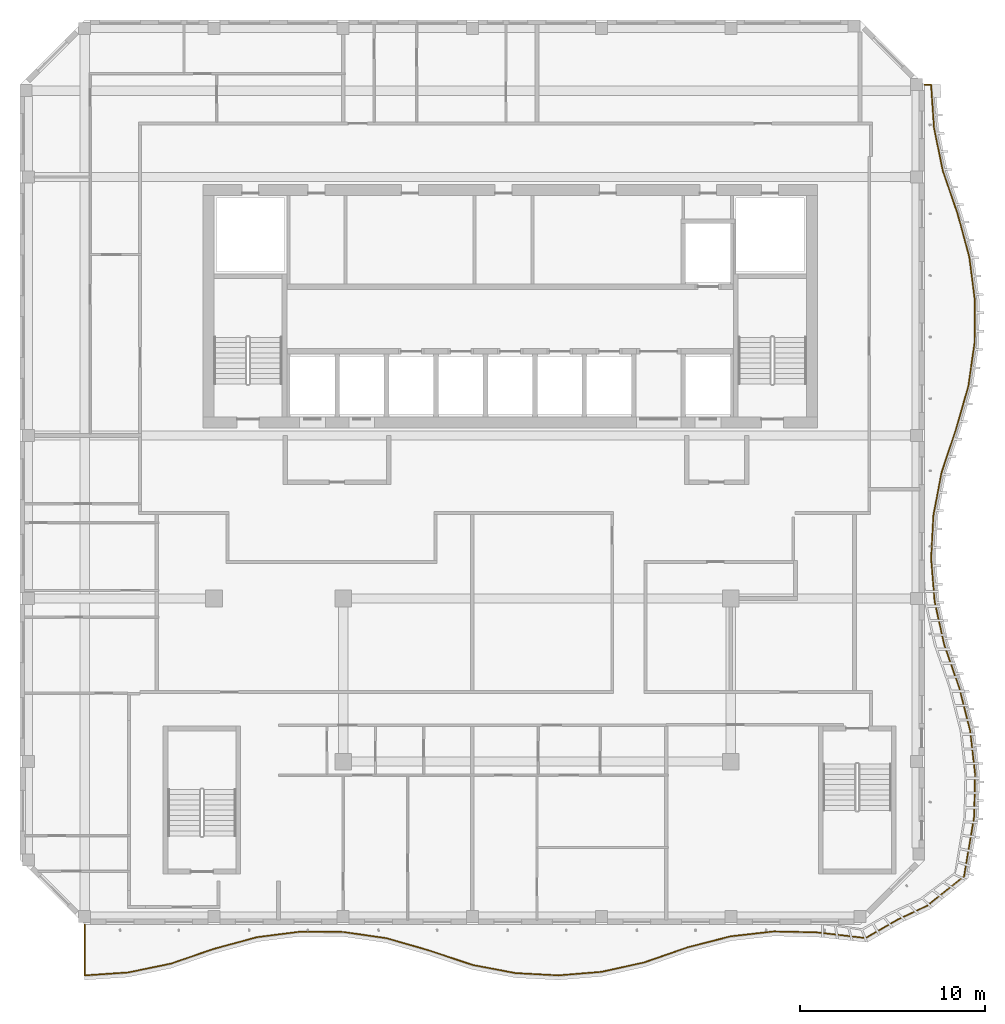
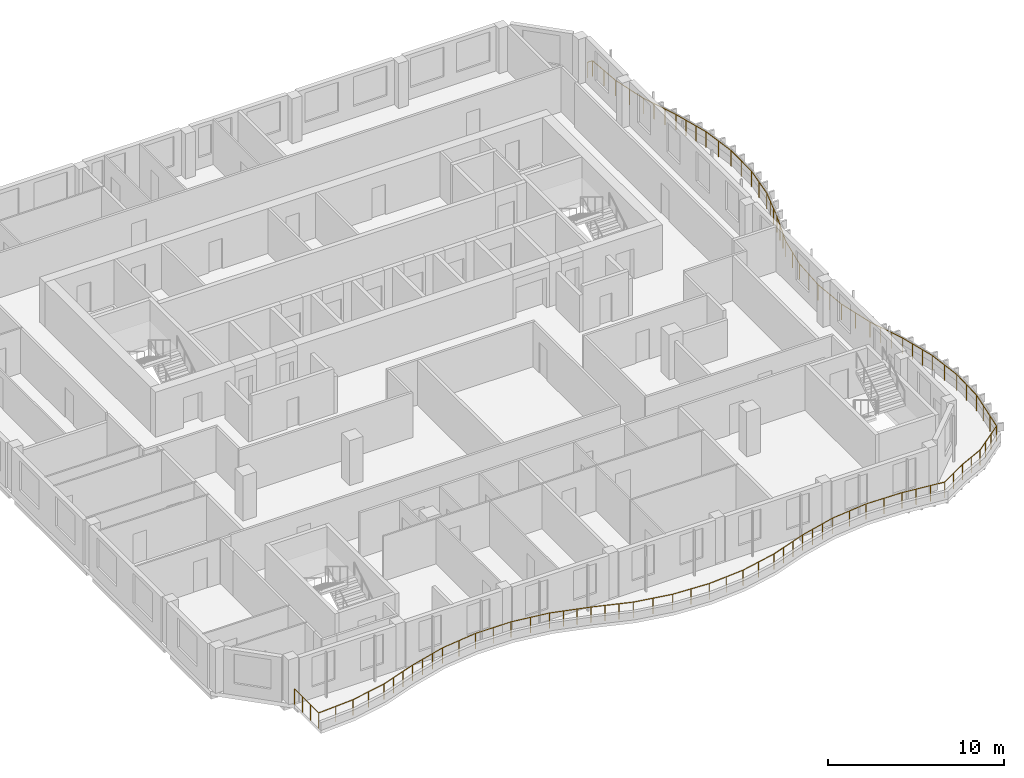
# One storey, part 14 of 18: 1 railing.
"""IFC4 building model written with IfcOpenShell, lengths in metres."""

from ifc_helpers import new_model, si_unit, direction, frame, origin, origin_2d, place, context, subcontext, project, spatial, circle, extrude, material, type_object, element, save


model = new_model("IFC4")

# Units and contexts
model_context = context("Model", 3, precision=1e-05, world=origin(), true_north=direction((0.0, 1.0)))
body_context = subcontext(model_context, "Body", "Model", "MODEL_VIEW")
ifc_project = project(units=[si_unit("LENGTHUNIT", "METRE"), si_unit("AREAUNIT", "SQUARE_METRE"), si_unit("VOLUMEUNIT", "CUBIC_METRE"), si_unit("PLANEANGLEUNIT", "RADIAN"), si_unit("MASSUNIT", "GRAM", prefix="KILO")], contexts=[model_context])

# Site, building, storey
site_placement = place(None, origin())
site = spatial("IfcSite", under=ifc_project, at=site_placement, CompositionType="ELEMENT")
building_placement = place(site_placement, origin())
building = spatial("IfcBuilding", under=site, at=building_placement, Name="Kilnfold Tower and Market Hall", CompositionType="ELEMENT")
storey_placement = place(building_placement, frame((0.0, 0.0, 277.199951171875)))
storey = spatial("IfcBuildingStorey", under=building, at=storey_placement, Name="L68", CompositionType="ELEMENT", Elevation=277.199951171875)

# Railing
ifc_material = material(Name="Stainless steel and laminated glass", Category="steel")
railing_type = type_object("IfcRailingType", Name="GUARD 1100", PredefinedType="GUARDRAIL", material=ifc_material)
railing_placement = place(storey_placement, frame((-22.0, -18.5, 0.0)))
element("IfcRailing", 1, at=railing_placement, inside=storey, type_object=railing_type, Name="Guard balcony L68", PredefinedType="GUARDRAIL", context=body_context, shape_type="SweptSolid", body=[
    extrude(circle(Radius=0.02490234375, at=origin_2d()), frame((0.0, 0.0, 1.0751953125), z_axis=(0.0, -1.0, 0.0), x_axis=(1.0, 0.0, 0.0)), (0.0, 0.0, 1.0), 2.75),
    extrude(circle(Radius=0.02490234375, at=origin_2d()), frame((0.0, -2.75, 1.0751953125), z_axis=(0.997744320473, 0.067128764054, 0.0), x_axis=(-0.067128764054, 0.997744320473, 0.0)), (0.0, 0.0, 1.0), 2.338623046875),
    extrude(circle(Radius=0.02490234375, at=origin_2d()), frame((2.333251953125, -2.593017578125, 1.0751953125), z_axis=(0.979514155194, 0.201375320669, 0.0), x_axis=(-0.201375320669, 0.979514155194, 0.0)), (0.0, 0.0, 1.0), 2.38232421875),
    extrude(circle(Radius=0.02490234375, at=origin_2d()), frame((4.666748046875, -2.11328125, 1.0751953125), z_axis=(0.945693253584, 0.325060409964, 0.0), x_axis=(-0.325060409964, 0.945693253584, 0.0)), (0.0, 0.0, 1.0), 2.46728515625),
    extrude(circle(Radius=0.02490234375, at=origin_2d()), frame((7.0, -1.311279296875, 1.0751953125), z_axis=(0.965260874363, 0.261288048758, 0.0), x_axis=(-0.261288048758, 0.965260874363, 0.0)), (0.0, 0.0, 1.0), 2.417236328125),
    extrude(circle(Radius=0.02490234375, at=origin_2d()), frame((9.333251953125, -0.6796875, 1.0751953125), z_axis=(0.991912848842, 0.126920842659, 0.0), x_axis=(-0.126920842659, 0.991912848842, 0.0)), (0.0, 0.0, 1.0), 2.3525390625),
    extrude(circle(Radius=0.02490234375, at=origin_2d()), frame((11.666748046875, -0.381103515625, 1.0751953125), z_axis=(0.999973937982, -0.007219650698, 0.0), x_axis=(0.007219650698, 0.999973937982, 0.0)), (0.0, 0.0, 1.0), 2.333251953125),
    extrude(circle(Radius=0.02490234375, at=origin_2d()), frame((14.0, -0.39794921875, 1.0751953125), z_axis=(0.989924618901, -0.141595370308, 0.0), x_axis=(0.141595370308, 0.989924618901, 0.0)), (0.0, 0.0, 1.0), 2.35693359375),
    extrude(circle(Radius=0.02490234375, at=origin_2d()), frame((16.333251953125, -0.731689453125, 1.0751953125), z_axis=(0.961227378487, -0.275757006886, 0.0), x_axis=(0.275757006886, 0.961227378487, 0.0)), (0.0, 0.0, 1.0), 2.427734375),
    extrude(circle(Radius=0.02490234375, at=origin_2d()), frame((18.666748046875, -1.401123046875, 1.0751953125), z_axis=(0.948375225103, -0.317150488587, 0.0), x_axis=(0.317150488587, 0.948375225103, 0.0)), (0.0, 0.0, 1.0), 2.460205078125),
    extrude(circle(Radius=0.02490234375, at=origin_2d()), frame((21.0, -2.181396484375, 1.0751953125), z_axis=(0.982383523607, -0.186875928212, 0.0), x_axis=(0.186875928212, 0.982383523607, 0.0)), (0.0, 0.0, 1.0), 2.375),
    extrude(circle(Radius=0.02490234375, at=origin_2d()), frame((23.333251953125, -2.625244140625, 1.0751953125), z_axis=(0.998612629354, -0.052657539778, 0.0), x_axis=(0.052657539778, 0.998612629354, 0.0)), (0.0, 0.0, 1.0), 2.336669921875),
    extrude(circle(Radius=0.02490234375, at=origin_2d()), frame((25.666748046875, -2.748291015625, 1.0751953125), z_axis=(0.996652090419, 0.081759468336, 0.0), x_axis=(-0.081759468336, 0.996652090419, 0.0)), (0.0, 0.0, 1.0), 2.341064453125),
    extrude(circle(Radius=0.02490234375, at=origin_2d()), frame((28.0, -2.556884765625, 1.0751953125), z_axis=(0.976419679672, 0.215881006921, 0.0), x_axis=(-0.215881006921, 0.976419679672, 0.0)), (0.0, 0.0, 1.0), 2.3896484375),
    extrude(circle(Radius=0.02490234375, at=origin_2d()), frame((30.333251953125, -2.041015625, 1.0751953125), z_axis=(0.944082964378, 0.329707986513, 0.0), x_axis=(-0.329707986513, 0.944082964378, 0.0)), (0.0, 0.0, 1.0), 2.4716796875),
    extrude(circle(Radius=0.02490234375, at=origin_2d()), frame((32.666748046875, -1.22607421875, 1.0751953125), z_axis=(0.969065433621, 0.246803941136, 0.0), x_axis=(-0.246803941136, 0.969065433621, 0.0)), (0.0, 0.0, 1.0), 2.40771484375),
    extrude(circle(Radius=0.02490234375, at=origin_2d()), frame((35.0, -0.6318359375, 1.0751953125), z_axis=(0.9936637082, 0.112394105741, 0.0), x_axis=(-0.112394105741, 0.9936637082, 0.0)), (0.0, 0.0, 1.0), 2.34814453125),
    extrude(circle(Radius=0.02490234375, at=origin_2d()), frame((37.333251953125, -0.367919921875, 1.0751953125), z_axis=(0.999763294472, -0.021756723713, 0.0), x_axis=(0.021756723713, 0.999763294472, 0.0)), (0.0, 0.0, 1.0), 2.333984375),
    extrude(circle(Radius=0.02490234375, at=origin_2d()), frame((39.666748046875, -0.418701171875, 1.0751953125), z_axis=(0.993209534194, -0.116339250414, 0.0), x_axis=(0.116339250414, 0.993209534194, 0.0)), (0.0, 0.0, 1.0), 2.652587890625),
    extrude(circle(Radius=0.02490234375, at=origin_2d()), frame((42.30126953125, -0.727294921875, 1.0751953125), z_axis=(0.866123210065, 0.499830556276, 0.0), x_axis=(-0.499830556276, 0.866123210065, 0.0)), (0.0, 0.0, 1.0), 2.020263671875),
    extrude(circle(Radius=0.02490234375, at=origin_2d()), frame((44.051025390625, 0.282470703125, 1.0751953125), z_axis=(0.905937791397, 0.423410814834, 0.0), x_axis=(-0.423410814834, 0.905937791397, 0.0)), (0.0, 0.0, 1.0), 1.755126953125),
    extrude(circle(Radius=0.02490234375, at=origin_2d()), frame((45.64111328125, 1.025634765625, 1.0751953125), z_axis=(0.782230054052, 0.622989680924, 0.0), x_axis=(-0.622989680924, 0.782230054052, 0.0)), (0.0, 0.0, 1.0), 2.55126953125),
    extrude(circle(Radius=0.02490234375, at=origin_2d()), frame((47.63671875, 2.614990234375, 1.0751953125), z_axis=(0.166872846644, 0.985978424233, 0.0), x_axis=(-0.985978424233, 0.166872846644, 0.0)), (0.0, 0.0, 1.0), 3.263916015625),
    extrude(circle(Radius=0.02490234375, at=origin_2d()), frame((48.181396484375, 5.833251953125, 1.0751953125), z_axis=(0.021756723713, 0.999763294472, 0.0), x_axis=(-0.999763294472, 0.021756723713, 0.0)), (0.0, 0.0, 1.0), 2.333984375),
    extrude(circle(Radius=0.02490234375, at=origin_2d()), frame((48.232177734375, 8.166748046875, 1.0751953125), z_axis=(-0.112496762863, 0.9936520912, 0.0), x_axis=(-0.9936520912, -0.112496762863, 0.0)), (0.0, 0.0, 1.0), 2.34814453125),
    extrude(circle(Radius=0.02490234375, at=origin_2d()), frame((47.968017578125, 10.5, 1.0751953125), z_axis=(-0.246708715469, 0.969089680944, 0.0), x_axis=(-0.969089680944, -0.246708715469, 0.0)), (0.0, 0.0, 1.0), 2.40771484375),
    extrude(circle(Radius=0.02490234375, at=origin_2d()), frame((47.3740234375, 12.833251953125, 1.0751953125), z_axis=(-0.329707986513, 0.944082964378, 0.0), x_axis=(-0.944082964378, -0.329707986513, 0.0)), (0.0, 0.0, 1.0), 2.4716796875),
    extrude(circle(Radius=0.02490234375, at=origin_2d()), frame((46.55908203125, 15.166748046875, 1.0751953125), z_axis=(-0.215978410209, 0.976398139246, 0.0), x_axis=(-0.976398139246, -0.215978410209, 0.0)), (0.0, 0.0, 1.0), 2.3896484375),
    extrude(circle(Radius=0.02490234375, at=origin_2d()), frame((46.04296875, 17.5, 1.0751953125), z_axis=(-0.081655879081, 0.996660582852, 0.0), x_axis=(-0.996660582852, -0.081655879081, 0.0)), (0.0, 0.0, 1.0), 2.341064453125),
    extrude(circle(Radius=0.02490234375, at=origin_2d()), frame((45.851806640625, 19.833251953125, 1.0751953125), z_axis=(0.052553349375, 0.998618117936, 0.0), x_axis=(-0.998618117936, 0.052553349375, 0.0)), (0.0, 0.0, 1.0), 2.336669921875),
    extrude(circle(Radius=0.02490234375, at=origin_2d()), frame((45.974609375, 22.166748046875, 1.0751953125), z_axis=(0.186975127626, 0.982364648005, 0.0), x_axis=(-0.982364648005, 0.186975127626, 0.0)), (0.0, 0.0, 1.0), 2.375244140625),
    extrude(circle(Radius=0.02490234375, at=origin_2d()), frame((46.418701171875, 24.5, 1.0751953125), z_axis=(0.317150488587, 0.948375225103, 0.0), x_axis=(-0.948375225103, 0.317150488587, 0.0)), (0.0, 0.0, 1.0), 2.460205078125),
    extrude(circle(Radius=0.02490234375, at=origin_2d()), frame((47.198974609375, 26.833251953125, 1.0751953125), z_axis=(0.275757006886, 0.961227378487, 0.0), x_axis=(-0.961227378487, 0.275757006886, 0.0)), (0.0, 0.0, 1.0), 2.427734375),
    extrude(circle(Radius=0.02490234375, at=origin_2d()), frame((47.868408203125, 29.166748046875, 1.0751953125), z_axis=(0.141493863694, 0.989939132743, 0.0), x_axis=(-0.989939132743, 0.141493863694, 0.0)), (0.0, 0.0, 1.0), 2.35693359375),
    extrude(circle(Radius=0.02490234375, at=origin_2d()), frame((48.201904296875, 31.5, 1.0751953125), z_axis=(0.007324277744, 0.999973177118, 0.0), x_axis=(-0.999973177118, 0.007324277744, 0.0)), (0.0, 0.0, 1.0), 2.333251953125),
    extrude(circle(Radius=0.02490234375, at=origin_2d()), frame((48.218994140625, 33.833251953125, 1.0751953125), z_axis=(-0.127022947172, 0.991899778653, 0.0), x_axis=(-0.991899778653, -0.127022947172, 0.0)), (0.0, 0.0, 1.0), 2.3525390625),
    extrude(circle(Radius=0.02490234375, at=origin_2d()), frame((47.920166015625, 36.166748046875, 1.0751953125), z_axis=(-0.261288048758, 0.965260874363, 0.0), x_axis=(-0.965260874363, -0.261288048758, 0.0)), (0.0, 0.0, 1.0), 2.417236328125),
    extrude(circle(Radius=0.02490234375, at=origin_2d()), frame((47.28857421875, 38.5, 1.0751953125), z_axis=(-0.324971908544, 0.945723669291, 0.0), x_axis=(-0.945723669291, -0.324971908544, 0.0)), (0.0, 0.0, 1.0), 2.467041015625),
    extrude(circle(Radius=0.02490234375, at=origin_2d()), frame((46.48681640625, 40.833251953125, 1.0751953125), z_axis=(-0.201375320669, 0.979514155194, 0.0), x_axis=(-0.979514155194, -0.201375320669, 0.0)), (0.0, 0.0, 1.0), 2.38232421875),
    extrude(circle(Radius=0.02490234375, at=origin_2d()), frame((46.007080078125, 43.166748046875, 1.0751953125), z_axis=(-0.067128764054, 0.997744320473, 0.0), x_axis=(-0.997744320473, -0.067128764054, 0.0)), (0.0, 0.0, 1.0), 2.338623046875),
    extrude(circle(Radius=0.02490234375, at=origin_2d()), frame((45.85009765625, 45.5, 1.0751953125), z_axis=(-1.0, 0.0, 0.0), x_axis=(0.0, -1.0, 0.0)), (0.0, 0.0, 1.0), 0.35009765625),
    extrude(circle(Radius=0.02490234375, at=origin_2d()), origin(), (0.0, 0.0, 1.0), 1.050048828125),
    extrude(circle(Radius=0.02490234375, at=origin_2d()), frame((0.0, -0.916748046875, 0.0)), (0.0, 0.0, 1.0), 1.050048828125),
    extrude(circle(Radius=0.02490234375, at=origin_2d()), frame((0.0, -1.833251953125, 0.0)), (0.0, 0.0, 1.0), 1.050048828125),
    extrude(circle(Radius=0.02490234375, at=origin_2d()), frame((0.0, -2.75, 0.0)), (0.0, 0.0, 1.0), 1.050048828125),
    extrude(circle(Radius=0.02490234375, at=origin_2d()), frame((1.16650390625, -2.67138671875, 0.0)), (0.0, 0.0, 1.0), 1.050048828125),
    extrude(circle(Radius=0.02490234375, at=origin_2d()), frame((2.333251953125, -2.593017578125, 0.0)), (0.0, 0.0, 1.0), 1.050048828125),
    extrude(circle(Radius=0.02490234375, at=origin_2d()), frame((3.5, -2.35302734375, 0.0)), (0.0, 0.0, 1.0), 1.050048828125),
    extrude(circle(Radius=0.02490234375, at=origin_2d()), frame((4.666748046875, -2.11328125, 0.0)), (0.0, 0.0, 1.0), 1.050048828125),
    extrude(circle(Radius=0.02490234375, at=origin_2d()), frame((5.444580078125, -1.845947265625, 0.0)), (0.0, 0.0, 1.0), 1.050048828125),
    extrude(circle(Radius=0.02490234375, at=origin_2d()), frame((6.22216796875, -1.57861328125, 0.0)), (0.0, 0.0, 1.0), 1.050048828125),
    extrude(circle(Radius=0.02490234375, at=origin_2d()), frame((7.0, -1.311279296875, 0.0)), (0.0, 0.0, 1.0), 1.050048828125),
    extrude(circle(Radius=0.02490234375, at=origin_2d()), frame((7.77783203125, -1.100830078125, 0.0)), (0.0, 0.0, 1.0), 1.050048828125),
    extrude(circle(Radius=0.02490234375, at=origin_2d()), frame((8.555419921875, -0.89013671875, 0.0)), (0.0, 0.0, 1.0), 1.050048828125),
    extrude(circle(Radius=0.02490234375, at=origin_2d()), frame((9.333251953125, -0.6796875, 0.0)), (0.0, 0.0, 1.0), 1.050048828125),
    extrude(circle(Radius=0.02490234375, at=origin_2d()), frame((10.5, -0.5302734375, 0.0)), (0.0, 0.0, 1.0), 1.050048828125),
    extrude(circle(Radius=0.02490234375, at=origin_2d()), frame((11.666748046875, -0.381103515625, 0.0)), (0.0, 0.0, 1.0), 1.050048828125),
    extrude(circle(Radius=0.02490234375, at=origin_2d()), frame((12.83349609375, -0.3896484375, 0.0)), (0.0, 0.0, 1.0), 1.050048828125),
    extrude(circle(Radius=0.02490234375, at=origin_2d()), frame((14.0, -0.39794921875, 0.0)), (0.0, 0.0, 1.0), 1.050048828125),
    extrude(circle(Radius=0.02490234375, at=origin_2d()), frame((15.16650390625, -0.56494140625, 0.0)), (0.0, 0.0, 1.0), 1.050048828125),
    extrude(circle(Radius=0.02490234375, at=origin_2d()), frame((16.333251953125, -0.731689453125, 0.0)), (0.0, 0.0, 1.0), 1.050048828125),
    extrude(circle(Radius=0.02490234375, at=origin_2d()), frame((17.111083984375, -0.954833984375, 0.0)), (0.0, 0.0, 1.0), 1.050048828125),
    extrude(circle(Radius=0.02490234375, at=origin_2d()), frame((17.888916015625, -1.177978515625, 0.0)), (0.0, 0.0, 1.0), 1.050048828125),
    extrude(circle(Radius=0.02490234375, at=origin_2d()), frame((18.666748046875, -1.401123046875, 0.0)), (0.0, 0.0, 1.0), 1.050048828125),
    extrude(circle(Radius=0.02490234375, at=origin_2d()), frame((19.444580078125, -1.6611328125, 0.0)), (0.0, 0.0, 1.0), 1.050048828125),
    extrude(circle(Radius=0.02490234375, at=origin_2d()), frame((20.22216796875, -1.92138671875, 0.0)), (0.0, 0.0, 1.0), 1.050048828125),
    extrude(circle(Radius=0.02490234375, at=origin_2d()), frame((21.0, -2.181396484375, 0.0)), (0.0, 0.0, 1.0), 1.050048828125),
    extrude(circle(Radius=0.02490234375, at=origin_2d()), frame((22.16650390625, -2.4033203125, 0.0)), (0.0, 0.0, 1.0), 1.050048828125),
    extrude(circle(Radius=0.02490234375, at=origin_2d()), frame((23.333251953125, -2.625244140625, 0.0)), (0.0, 0.0, 1.0), 1.050048828125),
    extrude(circle(Radius=0.02490234375, at=origin_2d()), frame((24.5, -2.686767578125, 0.0)), (0.0, 0.0, 1.0), 1.050048828125),
    extrude(circle(Radius=0.02490234375, at=origin_2d()), frame((25.666748046875, -2.748291015625, 0.0)), (0.0, 0.0, 1.0), 1.050048828125),
    extrude(circle(Radius=0.02490234375, at=origin_2d()), frame((26.83349609375, -2.652587890625, 0.0)), (0.0, 0.0, 1.0), 1.050048828125),
    extrude(circle(Radius=0.02490234375, at=origin_2d()), frame((28.0, -2.556884765625, 0.0)), (0.0, 0.0, 1.0), 1.050048828125),
    extrude(circle(Radius=0.02490234375, at=origin_2d()), frame((29.16650390625, -2.298828125, 0.0)), (0.0, 0.0, 1.0), 1.050048828125),
    extrude(circle(Radius=0.02490234375, at=origin_2d()), frame((30.333251953125, -2.041015625, 0.0)), (0.0, 0.0, 1.0), 1.050048828125),
    extrude(circle(Radius=0.02490234375, at=origin_2d()), frame((31.111083984375, -1.769287109375, 0.0)), (0.0, 0.0, 1.0), 1.050048828125),
    extrude(circle(Radius=0.02490234375, at=origin_2d()), frame((31.888916015625, -1.497802734375, 0.0)), (0.0, 0.0, 1.0), 1.050048828125),
    extrude(circle(Radius=0.02490234375, at=origin_2d()), frame((32.666748046875, -1.22607421875, 0.0)), (0.0, 0.0, 1.0), 1.050048828125),
    extrude(circle(Radius=0.02490234375, at=origin_2d()), frame((33.444580078125, -1.028076171875, 0.0)), (0.0, 0.0, 1.0), 1.050048828125),
    extrude(circle(Radius=0.02490234375, at=origin_2d()), frame((34.22216796875, -0.829833984375, 0.0)), (0.0, 0.0, 1.0), 1.050048828125),
    extrude(circle(Radius=0.02490234375, at=origin_2d()), frame((35.0, -0.6318359375, 0.0)), (0.0, 0.0, 1.0), 1.050048828125),
    extrude(circle(Radius=0.02490234375, at=origin_2d()), frame((36.16650390625, -0.5, 0.0)), (0.0, 0.0, 1.0), 1.050048828125),
    extrude(circle(Radius=0.02490234375, at=origin_2d()), frame((37.333251953125, -0.367919921875, 0.0)), (0.0, 0.0, 1.0), 1.050048828125),
    extrude(circle(Radius=0.02490234375, at=origin_2d()), frame((38.5, -0.393310546875, 0.0)), (0.0, 0.0, 1.0), 1.050048828125),
    extrude(circle(Radius=0.02490234375, at=origin_2d()), frame((39.666748046875, -0.418701171875, 0.0)), (0.0, 0.0, 1.0), 1.050048828125),
    extrude(circle(Radius=0.02490234375, at=origin_2d()), frame((40.544921875, -0.521484375, 0.0)), (0.0, 0.0, 1.0), 1.050048828125),
    extrude(circle(Radius=0.02490234375, at=origin_2d()), frame((41.423095703125, -0.62451171875, 0.0)), (0.0, 0.0, 1.0), 1.050048828125),
    extrude(circle(Radius=0.02490234375, at=origin_2d()), frame((42.30126953125, -0.727294921875, 0.0)), (0.0, 0.0, 1.0), 1.050048828125),
    extrude(circle(Radius=0.02490234375, at=origin_2d()), frame((43.17626953125, -0.222412109375, 0.0)), (0.0, 0.0, 1.0), 1.050048828125),
    extrude(circle(Radius=0.02490234375, at=origin_2d()), frame((44.051025390625, 0.282470703125, 0.0)), (0.0, 0.0, 1.0), 1.050048828125),
    extrude(circle(Radius=0.02490234375, at=origin_2d()), frame((44.84619140625, 0.654052734375, 0.0)), (0.0, 0.0, 1.0), 1.050048828125),
    extrude(circle(Radius=0.02490234375, at=origin_2d()), frame((45.64111328125, 1.025634765625, 0.0)), (0.0, 0.0, 1.0), 1.050048828125),
    extrude(circle(Radius=0.02490234375, at=origin_2d()), frame((46.306396484375, 1.555419921875, 0.0)), (0.0, 0.0, 1.0), 1.050048828125),
    extrude(circle(Radius=0.02490234375, at=origin_2d()), frame((46.971435546875, 2.085205078125, 0.0)), (0.0, 0.0, 1.0), 1.050048828125),
    extrude(circle(Radius=0.02490234375, at=origin_2d()), frame((47.63671875, 2.614990234375, 0.0)), (0.0, 0.0, 1.0), 1.050048828125),
    extrude(circle(Radius=0.02490234375, at=origin_2d()), frame((47.818359375, 3.687744140625, 0.0)), (0.0, 0.0, 1.0), 1.050048828125),
    extrude(circle(Radius=0.02490234375, at=origin_2d()), frame((47.999755859375, 4.760498046875, 0.0)), (0.0, 0.0, 1.0), 1.050048828125),
    extrude(circle(Radius=0.02490234375, at=origin_2d()), frame((48.181396484375, 5.833251953125, 0.0)), (0.0, 0.0, 1.0), 1.050048828125),
    extrude(circle(Radius=0.02490234375, at=origin_2d()), frame((48.206787109375, 7.0, 0.0)), (0.0, 0.0, 1.0), 1.050048828125),
    extrude(circle(Radius=0.02490234375, at=origin_2d()), frame((48.232177734375, 8.166748046875, 0.0)), (0.0, 0.0, 1.0), 1.050048828125),
    extrude(circle(Radius=0.02490234375, at=origin_2d()), frame((48.10009765625, 9.33349609375, 0.0)), (0.0, 0.0, 1.0), 1.050048828125),
    extrude(circle(Radius=0.02490234375, at=origin_2d()), frame((47.968017578125, 10.5, 0.0)), (0.0, 0.0, 1.0), 1.050048828125),
    extrude(circle(Radius=0.02490234375, at=origin_2d()), frame((47.77001953125, 11.27783203125, 0.0)), (0.0, 0.0, 1.0), 1.050048828125),
    extrude(circle(Radius=0.02490234375, at=origin_2d()), frame((47.572021484375, 12.055419921875, 0.0)), (0.0, 0.0, 1.0), 1.050048828125),
    extrude(circle(Radius=0.02490234375, at=origin_2d()), frame((47.3740234375, 12.833251953125, 0.0)), (0.0, 0.0, 1.0), 1.050048828125),
    extrude(circle(Radius=0.02490234375, at=origin_2d()), frame((47.102294921875, 13.611083984375, 0.0)), (0.0, 0.0, 1.0), 1.050048828125),
    extrude(circle(Radius=0.02490234375, at=origin_2d()), frame((46.830810546875, 14.388916015625, 0.0)), (0.0, 0.0, 1.0), 1.050048828125),
    extrude(circle(Radius=0.02490234375, at=origin_2d()), frame((46.55908203125, 15.166748046875, 0.0)), (0.0, 0.0, 1.0), 1.050048828125),
    extrude(circle(Radius=0.02490234375, at=origin_2d()), frame((46.301025390625, 16.33349609375, 0.0)), (0.0, 0.0, 1.0), 1.050048828125),
    extrude(circle(Radius=0.02490234375, at=origin_2d()), frame((46.04296875, 17.5, 0.0)), (0.0, 0.0, 1.0), 1.050048828125),
    extrude(circle(Radius=0.02490234375, at=origin_2d()), frame((45.947265625, 18.66650390625, 0.0)), (0.0, 0.0, 1.0), 1.050048828125),
    extrude(circle(Radius=0.02490234375, at=origin_2d()), frame((45.851806640625, 19.833251953125, 0.0)), (0.0, 0.0, 1.0), 1.050048828125),
    extrude(circle(Radius=0.02490234375, at=origin_2d()), frame((45.9130859375, 21.0, 0.0)), (0.0, 0.0, 1.0), 1.050048828125),
    extrude(circle(Radius=0.02490234375, at=origin_2d()), frame((45.974609375, 22.166748046875, 0.0)), (0.0, 0.0, 1.0), 1.050048828125),
    extrude(circle(Radius=0.02490234375, at=origin_2d()), frame((46.19677734375, 23.33349609375, 0.0)), (0.0, 0.0, 1.0), 1.050048828125),
    extrude(circle(Radius=0.02490234375, at=origin_2d()), frame((46.418701171875, 24.5, 0.0)), (0.0, 0.0, 1.0), 1.050048828125),
    extrude(circle(Radius=0.02490234375, at=origin_2d()), frame((46.6787109375, 25.27783203125, 0.0)), (0.0, 0.0, 1.0), 1.050048828125),
    extrude(circle(Radius=0.02490234375, at=origin_2d()), frame((46.93896484375, 26.055419921875, 0.0)), (0.0, 0.0, 1.0), 1.050048828125),
    extrude(circle(Radius=0.02490234375, at=origin_2d()), frame((47.198974609375, 26.833251953125, 0.0)), (0.0, 0.0, 1.0), 1.050048828125),
    extrude(circle(Radius=0.02490234375, at=origin_2d()), frame((47.422119140625, 27.611083984375, 0.0)), (0.0, 0.0, 1.0), 1.050048828125),
    extrude(circle(Radius=0.02490234375, at=origin_2d()), frame((47.645263671875, 28.388916015625, 0.0)), (0.0, 0.0, 1.0), 1.050048828125),
    extrude(circle(Radius=0.02490234375, at=origin_2d()), frame((47.868408203125, 29.166748046875, 0.0)), (0.0, 0.0, 1.0), 1.050048828125),
    extrude(circle(Radius=0.02490234375, at=origin_2d()), frame((48.03515625, 30.33349609375, 0.0)), (0.0, 0.0, 1.0), 1.050048828125),
    extrude(circle(Radius=0.02490234375, at=origin_2d()), frame((48.201904296875, 31.5, 0.0)), (0.0, 0.0, 1.0), 1.050048828125),
    extrude(circle(Radius=0.02490234375, at=origin_2d()), frame((48.21044921875, 32.66650390625, 0.0)), (0.0, 0.0, 1.0), 1.050048828125),
    extrude(circle(Radius=0.02490234375, at=origin_2d()), frame((48.218994140625, 33.833251953125, 0.0)), (0.0, 0.0, 1.0), 1.050048828125),
    extrude(circle(Radius=0.02490234375, at=origin_2d()), frame((48.069580078125, 35.0, 0.0)), (0.0, 0.0, 1.0), 1.050048828125),
    extrude(circle(Radius=0.02490234375, at=origin_2d()), frame((47.920166015625, 36.166748046875, 0.0)), (0.0, 0.0, 1.0), 1.050048828125),
    extrude(circle(Radius=0.02490234375, at=origin_2d()), frame((47.709716796875, 36.944580078125, 0.0)), (0.0, 0.0, 1.0), 1.050048828125),
    extrude(circle(Radius=0.02490234375, at=origin_2d()), frame((47.4990234375, 37.72216796875, 0.0)), (0.0, 0.0, 1.0), 1.050048828125),
    extrude(circle(Radius=0.02490234375, at=origin_2d()), frame((47.28857421875, 38.5, 0.0)), (0.0, 0.0, 1.0), 1.050048828125),
    extrude(circle(Radius=0.02490234375, at=origin_2d()), frame((47.021240234375, 39.27783203125, 0.0)), (0.0, 0.0, 1.0), 1.050048828125),
    extrude(circle(Radius=0.02490234375, at=origin_2d()), frame((46.754150390625, 40.055419921875, 0.0)), (0.0, 0.0, 1.0), 1.050048828125),
    extrude(circle(Radius=0.02490234375, at=origin_2d()), frame((46.48681640625, 40.833251953125, 0.0)), (0.0, 0.0, 1.0), 1.050048828125),
    extrude(circle(Radius=0.02490234375, at=origin_2d()), frame((46.2470703125, 42.0, 0.0)), (0.0, 0.0, 1.0), 1.050048828125),
    extrude(circle(Radius=0.02490234375, at=origin_2d()), frame((46.007080078125, 43.166748046875, 0.0)), (0.0, 0.0, 1.0), 1.050048828125),
    extrude(circle(Radius=0.02490234375, at=origin_2d()), frame((45.9287109375, 44.33349609375, 0.0)), (0.0, 0.0, 1.0), 1.050048828125),
    extrude(circle(Radius=0.02490234375, at=origin_2d()), frame((45.85009765625, 45.5, 0.0)), (0.0, 0.0, 1.0), 1.050048828125),
    extrude(circle(Radius=0.02490234375, at=origin_2d()), frame((45.5, 45.5, 0.0)), (0.0, 0.0, 1.0), 1.050048828125),
])

save(model, "model.ifc")
